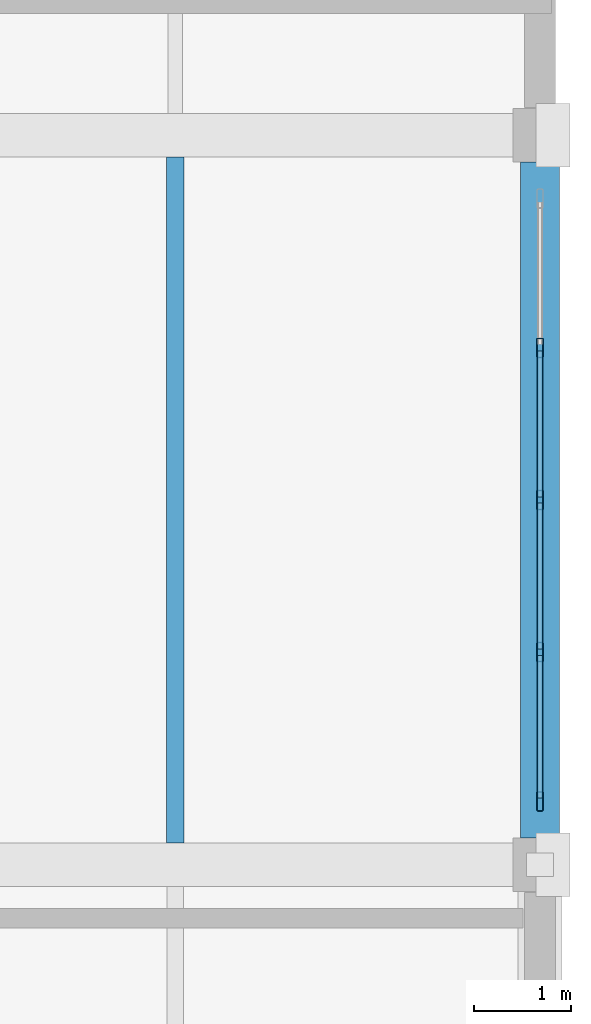
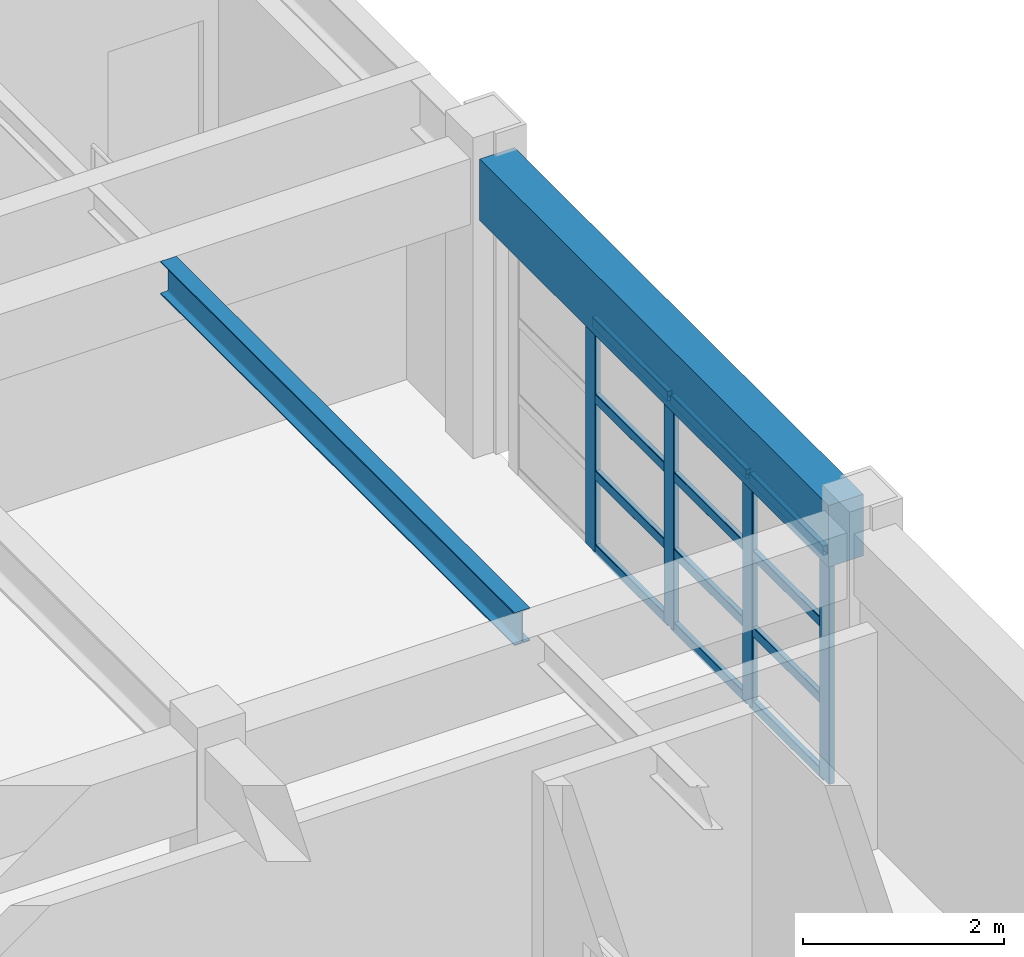
# One storey, part 58 of 101: 16 members, 2 beams, 1 element without a shape of its own.
"""IFC4 building model written with IfcOpenShell, lengths in metres."""

from ifc_helpers import new_model, si_unit, direction, frame, origin, origin_2d, place, context, subcontext, project, spatial, rectangle, hollow_rectangle, i_section, extrude, material, material_profile, profile_set, type_object, element, aggregate, save


model = new_model("IFC4")

# Units and contexts
model_context = context("Model", 3, precision=1e-05, world=origin(), true_north=direction((0.0, 1.0)))
body_context = subcontext(model_context, "Body", "Model", "MODEL_VIEW")
ifc_project = project(units=[si_unit("LENGTHUNIT", "METRE"), si_unit("AREAUNIT", "SQUARE_METRE"), si_unit("VOLUMEUNIT", "CUBIC_METRE"), si_unit("PLANEANGLEUNIT", "RADIAN"), si_unit("MASSUNIT", "GRAM", prefix="KILO")], contexts=[model_context])

# Site, building, storey
site_placement = place(None, origin())
site = spatial("IfcSite", under=ifc_project, at=site_placement, CompositionType="ELEMENT")
building_placement = place(site_placement, origin())
building = spatial("IfcBuilding", under=site, at=building_placement, Name="Qasida Concert Hall", CompositionType="ELEMENT")
storey_placement = place(building_placement, frame((0.0, 0.0, 13.199951171875)))
storey = spatial("IfcBuildingStorey", under=building, at=storey_placement, Name="L03", CompositionType="ELEMENT", Elevation=13.199951171875)

# Beams
ifc_material_1 = material(Name="Steel S355J2", Category="steel")
ifc_material_profile_1 = material_profile(ifc_material_1, i_section(OverallWidth=0.179931640625, OverallDepth=0.39990234375, WebThickness=0.008544921875, FlangeThickness=0.013427734375, FilletRadius=0.02099609375, at=origin_2d()), Name="IPE 400")
ifc_profile_set_1 = profile_set([ifc_material_profile_1], Name="Steel S355J2")
beam_type_1 = type_object("IfcBeamType", Name="BM-J3", PredefinedType="JOIST", material=ifc_profile_set_1)
beam_1_placement = place(storey_placement, frame((161.25, 90.22509765625, 3.420166015625), z_axis=(0.0, 1.0, 0.0), x_axis=(-1.0, 0.0, 0.0)))
element("IfcBeam", 1, at=beam_1_placement, inside=storey, type_object=beam_type_1, Name="L03 secondary joist 1730", PredefinedType="JOIST", context=body_context, shape_type="SweptSolid", body=[
    extrude(i_section(OverallWidth=0.179931640625, OverallDepth=0.39990234375, WebThickness=0.008544921875, FlangeThickness=0.013427734375, FilletRadius=0.02099609375, at=origin_2d()), origin(), (0.0, 0.0, 1.0), 7.0498046875),
])
ifc_material_2 = material(Name="Concrete C40/50", Category="concrete")
ifc_material_profile_2 = material_profile(ifc_material_2, rectangle(XDim=0.39990234375, YDim=0.75, at=origin_2d()), Name="RC 400x750")
ifc_profile_set_2 = profile_set([ifc_material_profile_2], Name="Concrete C40/50")
beam_type_2 = type_object("IfcBeamType", Name="BM-SP1", PredefinedType="SPANDREL", material=ifc_profile_set_2)
beam_2_placement = place(storey_placement, frame((165.0, 90.27490234375, 3.2451171875), z_axis=(0.0, 1.0, 0.0), x_axis=(-1.0, 0.0, 0.0)))
element("IfcBeam", 2, at=beam_2_placement, inside=storey, type_object=beam_type_2, Name="L03 girder 1711", PredefinedType="SPANDREL", context=body_context, shape_type="SweptSolid", body=[
    extrude(rectangle(XDim=0.39990234375, YDim=0.75, at=origin_2d()), origin(), (0.0, 0.0, 1.0), 6.9501953125),
])

# Curtain wall, members
ifc_material_3 = material(Name="Architectural bronze-anodized aluminium and low-E glass", Category="aluminium")
curtain_wall_type = type_object("IfcCurtainWallType", Name="CW-11", PredefinedType="NOTDEFINED", material=ifc_material_3)
curtain_wall_placement = place(storey_placement, origin())
curtain_wall = element("IfcCurtainWall", 3, at=curtain_wall_placement, inside=storey, type_object=curtain_wall_type, Name="L03 curtain wall CW-11 0178", PredefinedType="NOTDEFINED")
ifc_material_4 = material(Name="Architectural bronze-anodized aluminium EN AW-6063", Category="aluminium")
ifc_material_profile_3 = material_profile(ifc_material_4, hollow_rectangle(XDim=0.06494140625, YDim=0.199951171875, WallThickness=0.0048828125, InnerFilletRadius=0.0048828125, OuterFilletRadius=0.010009765625, at=origin_2d()), Name="CWM 200x65x5")
ifc_profile_set_3 = profile_set([ifc_material_profile_3], Name="Architectural bronze-anodized aluminium EN AW-6063")
member_type_1 = type_object("IfcMemberType", Name="MB-CWM-2", PredefinedType="MULLION", material=ifc_profile_set_3)
member_1_placement = place(storey_placement, frame((165.0, 90.652587890625, 0.0), z_axis=(0.0, 0.0, 1.0), x_axis=(-1.0, 0.0, 0.0)))
member_1 = element("IfcMember", 4, at=member_1_placement, type_object=member_type_1, Name="CW-11 mullion 1", PredefinedType="MULLION", context=body_context, shape_type="SweptSolid", body=[
    extrude(hollow_rectangle(XDim=0.06494140625, YDim=0.199951171875, WallThickness=0.0048828125, InnerFilletRadius=0.0048828125, OuterFilletRadius=0.010009765625, at=origin_2d()), origin(), (0.0, 0.0, 1.0), 2.7900390625),
])
member_2_placement = place(storey_placement, frame((165.0, 92.18505859375, 0.0), z_axis=(0.0, 0.0, 1.0), x_axis=(-1.0, 0.0, 0.0)))
member_2 = element("IfcMember", 5, at=member_2_placement, type_object=member_type_1, Name="CW-11 mullion 2", PredefinedType="MULLION", context=body_context, shape_type="SweptSolid", body=[
    extrude(hollow_rectangle(XDim=0.06494140625, YDim=0.199951171875, WallThickness=0.0048828125, InnerFilletRadius=0.0048828125, OuterFilletRadius=0.010009765625, at=origin_2d()), origin(), (0.0, 0.0, 1.0), 2.7900390625),
])
member_3_placement = place(storey_placement, frame((165.0, 93.75, 0.0), z_axis=(0.0, 0.0, 1.0), x_axis=(-1.0, 0.0, 0.0)))
member_3 = element("IfcMember", 6, at=member_3_placement, type_object=member_type_1, Name="CW-11 mullion 3", PredefinedType="MULLION", context=body_context, shape_type="SweptSolid", body=[
    extrude(hollow_rectangle(XDim=0.06494140625, YDim=0.199951171875, WallThickness=0.0048828125, InnerFilletRadius=0.0048828125, OuterFilletRadius=0.010009765625, at=origin_2d()), origin(), (0.0, 0.0, 1.0), 2.7900390625),
])
member_4_placement = place(storey_placement, frame((165.0, 95.31494140625, 0.0), z_axis=(0.0, 0.0, 1.0), x_axis=(-1.0, 0.0, 0.0)))
member_4 = element("IfcMember", 7, at=member_4_placement, type_object=member_type_1, Name="CW-11 mullion 4", PredefinedType="MULLION", context=body_context, shape_type="SweptSolid", body=[
    extrude(hollow_rectangle(XDim=0.06494140625, YDim=0.199951171875, WallThickness=0.0048828125, InnerFilletRadius=0.0048828125, OuterFilletRadius=0.010009765625, at=origin_2d()), origin(), (0.0, 0.0, 1.0), 2.7900390625),
])
ifc_material_profile_4 = material_profile(ifc_material_4, hollow_rectangle(XDim=0.06005859375, YDim=0.1201171875, WallThickness=0.00390625, InnerFilletRadius=0.00390625, OuterFilletRadius=0.008056640625, at=origin_2d()), Name="CWT 120x60x4")
ifc_profile_set_4 = profile_set([ifc_material_profile_4], Name="Architectural bronze-anodized aluminium EN AW-6063")
member_type_2 = type_object("IfcMemberType", Name="MB-CWT-2", PredefinedType="USERDEFINED", material=ifc_profile_set_4)
member_5_placement = place(storey_placement, frame((165.0, 90.68505859375, 0.030029296875), z_axis=(0.0, 1.0, 0.0), x_axis=(-1.0, 0.0, 0.0)))
member_5 = element("IfcMember", 8, at=member_5_placement, type_object=member_type_2, Name="CW-11 transom 1.1", ObjectType="TRANSOM", PredefinedType="USERDEFINED", context=body_context, shape_type="SweptSolid", body=[
    extrude(hollow_rectangle(XDim=0.06005859375, YDim=0.1201171875, WallThickness=0.00390625, InnerFilletRadius=0.00390625, OuterFilletRadius=0.008056640625, at=origin_2d()), origin(), (0.0, 0.0, 1.0), 1.467529296875),
])
member_6_placement = place(storey_placement, frame((165.0, 90.68505859375, 0.929931640625), z_axis=(0.0, 1.0, 0.0), x_axis=(-1.0, 0.0, 0.0)))
member_6 = element("IfcMember", 9, at=member_6_placement, type_object=member_type_2, Name="CW-11 transom 1.2", ObjectType="TRANSOM", PredefinedType="USERDEFINED", context=body_context, shape_type="SweptSolid", body=[
    extrude(hollow_rectangle(XDim=0.06005859375, YDim=0.1201171875, WallThickness=0.00390625, InnerFilletRadius=0.00390625, OuterFilletRadius=0.008056640625, at=origin_2d()), origin(), (0.0, 0.0, 1.0), 1.467529296875),
])
member_7_placement = place(storey_placement, frame((165.0, 90.68505859375, 1.860107421875), z_axis=(0.0, 1.0, 0.0), x_axis=(-1.0, 0.0, 0.0)))
member_7 = element("IfcMember", 10, at=member_7_placement, type_object=member_type_2, Name="CW-11 transom 1.3", ObjectType="TRANSOM", PredefinedType="USERDEFINED", context=body_context, shape_type="SweptSolid", body=[
    extrude(hollow_rectangle(XDim=0.06005859375, YDim=0.1201171875, WallThickness=0.00390625, InnerFilletRadius=0.00390625, OuterFilletRadius=0.008056640625, at=origin_2d()), origin(), (0.0, 0.0, 1.0), 1.467529296875),
])
member_8_placement = place(storey_placement, frame((165.0, 90.68505859375, 2.760009765625), z_axis=(0.0, 1.0, 0.0), x_axis=(-1.0, 0.0, 0.0)))
member_8 = element("IfcMember", 11, at=member_8_placement, type_object=member_type_2, Name="CW-11 transom 1.4", ObjectType="TRANSOM", PredefinedType="USERDEFINED", context=body_context, shape_type="SweptSolid", body=[
    extrude(hollow_rectangle(XDim=0.06005859375, YDim=0.1201171875, WallThickness=0.00390625, InnerFilletRadius=0.00390625, OuterFilletRadius=0.008056640625, at=origin_2d()), origin(), (0.0, 0.0, 1.0), 1.467529296875),
])
member_9_placement = place(storey_placement, frame((165.0, 92.217529296875, 0.030029296875), z_axis=(0.0, 1.0, 0.0), x_axis=(-1.0, 0.0, 0.0)))
member_9 = element("IfcMember", 12, at=member_9_placement, type_object=member_type_2, Name="CW-11 transom 2.1", ObjectType="TRANSOM", PredefinedType="USERDEFINED", context=body_context, shape_type="SweptSolid", body=[
    extrude(hollow_rectangle(XDim=0.06005859375, YDim=0.1201171875, WallThickness=0.00390625, InnerFilletRadius=0.00390625, OuterFilletRadius=0.008056640625, at=origin_2d()), origin(), (0.0, 0.0, 1.0), 1.5),
])
member_10_placement = place(storey_placement, frame((165.0, 92.217529296875, 0.929931640625), z_axis=(0.0, 1.0, 0.0), x_axis=(-1.0, 0.0, 0.0)))
member_10 = element("IfcMember", 13, at=member_10_placement, type_object=member_type_2, Name="CW-11 transom 2.2", ObjectType="TRANSOM", PredefinedType="USERDEFINED", context=body_context, shape_type="SweptSolid", body=[
    extrude(hollow_rectangle(XDim=0.06005859375, YDim=0.1201171875, WallThickness=0.00390625, InnerFilletRadius=0.00390625, OuterFilletRadius=0.008056640625, at=origin_2d()), origin(), (0.0, 0.0, 1.0), 1.5),
])
member_11_placement = place(storey_placement, frame((165.0, 92.217529296875, 1.860107421875), z_axis=(0.0, 1.0, 0.0), x_axis=(-1.0, 0.0, 0.0)))
member_11 = element("IfcMember", 14, at=member_11_placement, type_object=member_type_2, Name="CW-11 transom 2.3", ObjectType="TRANSOM", PredefinedType="USERDEFINED", context=body_context, shape_type="SweptSolid", body=[
    extrude(hollow_rectangle(XDim=0.06005859375, YDim=0.1201171875, WallThickness=0.00390625, InnerFilletRadius=0.00390625, OuterFilletRadius=0.008056640625, at=origin_2d()), origin(), (0.0, 0.0, 1.0), 1.5),
])
member_12_placement = place(storey_placement, frame((165.0, 92.217529296875, 2.760009765625), z_axis=(0.0, 1.0, 0.0), x_axis=(-1.0, 0.0, 0.0)))
member_12 = element("IfcMember", 15, at=member_12_placement, type_object=member_type_2, Name="CW-11 transom 2.4", ObjectType="TRANSOM", PredefinedType="USERDEFINED", context=body_context, shape_type="SweptSolid", body=[
    extrude(hollow_rectangle(XDim=0.06005859375, YDim=0.1201171875, WallThickness=0.00390625, InnerFilletRadius=0.00390625, OuterFilletRadius=0.008056640625, at=origin_2d()), origin(), (0.0, 0.0, 1.0), 1.5),
])
member_13_placement = place(storey_placement, frame((165.0, 93.782470703125, 0.030029296875), z_axis=(0.0, 1.0, 0.0), x_axis=(-1.0, 0.0, 0.0)))
member_13 = element("IfcMember", 16, at=member_13_placement, type_object=member_type_2, Name="CW-11 transom 3.1", ObjectType="TRANSOM", PredefinedType="USERDEFINED", context=body_context, shape_type="SweptSolid", body=[
    extrude(hollow_rectangle(XDim=0.06005859375, YDim=0.1201171875, WallThickness=0.00390625, InnerFilletRadius=0.00390625, OuterFilletRadius=0.008056640625, at=origin_2d()), origin(), (0.0, 0.0, 1.0), 1.5),
])
member_14_placement = place(storey_placement, frame((165.0, 93.782470703125, 0.929931640625), z_axis=(0.0, 1.0, 0.0), x_axis=(-1.0, 0.0, 0.0)))
member_14 = element("IfcMember", 17, at=member_14_placement, type_object=member_type_2, Name="CW-11 transom 3.2", ObjectType="TRANSOM", PredefinedType="USERDEFINED", context=body_context, shape_type="SweptSolid", body=[
    extrude(hollow_rectangle(XDim=0.06005859375, YDim=0.1201171875, WallThickness=0.00390625, InnerFilletRadius=0.00390625, OuterFilletRadius=0.008056640625, at=origin_2d()), origin(), (0.0, 0.0, 1.0), 1.5),
])
member_15_placement = place(storey_placement, frame((165.0, 93.782470703125, 1.860107421875), z_axis=(0.0, 1.0, 0.0), x_axis=(-1.0, 0.0, 0.0)))
member_15 = element("IfcMember", 18, at=member_15_placement, type_object=member_type_2, Name="CW-11 transom 3.3", ObjectType="TRANSOM", PredefinedType="USERDEFINED", context=body_context, shape_type="SweptSolid", body=[
    extrude(hollow_rectangle(XDim=0.06005859375, YDim=0.1201171875, WallThickness=0.00390625, InnerFilletRadius=0.00390625, OuterFilletRadius=0.008056640625, at=origin_2d()), origin(), (0.0, 0.0, 1.0), 1.5),
])
member_16_placement = place(storey_placement, frame((165.0, 93.782470703125, 2.760009765625), z_axis=(0.0, 1.0, 0.0), x_axis=(-1.0, 0.0, 0.0)))
member_16 = element("IfcMember", 19, at=member_16_placement, type_object=member_type_2, Name="CW-11 transom 3.4", ObjectType="TRANSOM", PredefinedType="USERDEFINED", context=body_context, shape_type="SweptSolid", body=[
    extrude(hollow_rectangle(XDim=0.06005859375, YDim=0.1201171875, WallThickness=0.00390625, InnerFilletRadius=0.00390625, OuterFilletRadius=0.008056640625, at=origin_2d()), origin(), (0.0, 0.0, 1.0), 1.5),
])
aggregate(curtain_wall, [member_1, member_2, member_3, member_4, member_5, member_6, member_7, member_8, member_9, member_10, member_11, member_12, member_13, member_14, member_15, member_16])

save(model, "model.ifc")
